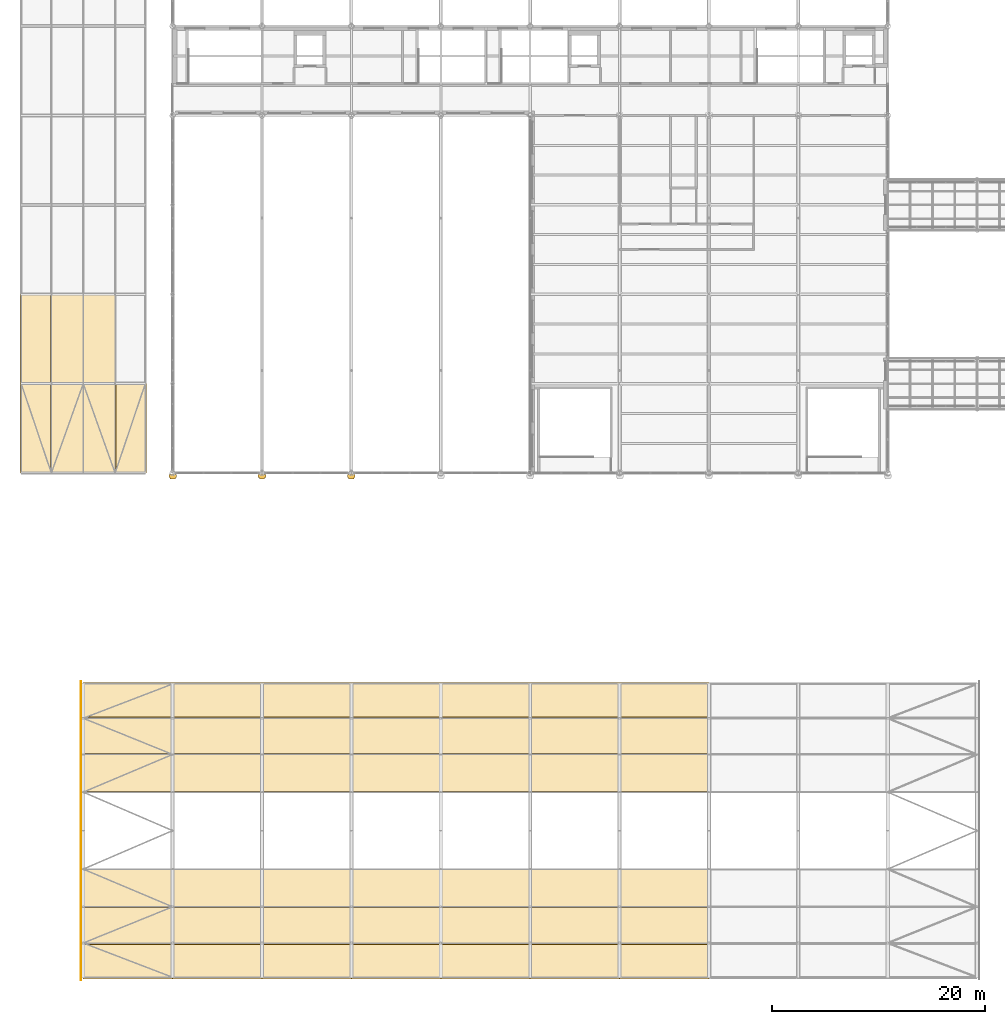
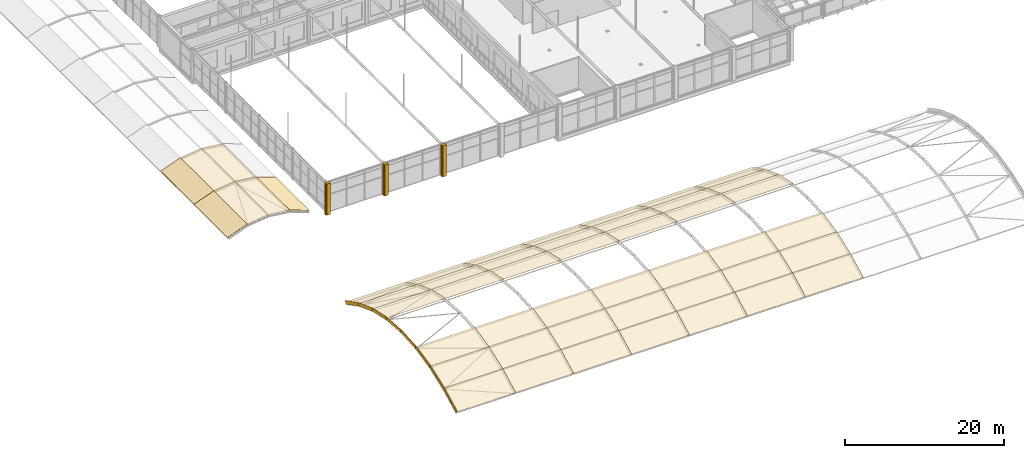
# One storey, part 158 of 167: 60 coverings.
"""IFC4 building model written with IfcOpenShell, lengths in metres."""

from ifc_helpers import new_model, si_unit, direction, frame, origin, place, context, subcontext, project, spatial, polyline, outline, extrude, material, layer, layer_set, type_object, element, save


model = new_model("IFC4")

# Units and contexts
model_context = context("Model", 3, precision=1e-05, world=origin(), true_north=direction((0.0, 1.0)))
body_context = subcontext(model_context, "Body", "Model", "MODEL_VIEW")
ifc_project = project(units=[si_unit("LENGTHUNIT", "METRE"), si_unit("AREAUNIT", "SQUARE_METRE"), si_unit("VOLUMEUNIT", "CUBIC_METRE"), si_unit("PLANEANGLEUNIT", "RADIAN"), si_unit("MASSUNIT", "GRAM", prefix="KILO")], contexts=[model_context])

# Site, building, storey
site_placement = place(None, origin())
site = spatial("IfcSite", under=ifc_project, at=site_placement, CompositionType="ELEMENT")
building_placement = place(site_placement, origin())
building = spatial("IfcBuilding", under=site, at=building_placement, Name="Catenary Quay Ferry Terminal", CompositionType="ELEMENT")
storey_placement = place(building_placement, frame((0.0, 0.0, 6.0)))
storey = spatial("IfcBuildingStorey", under=building, at=storey_placement, Name="L01", CompositionType="ELEMENT", Elevation=6.0)

# Coverings
ifc_material_1 = material(Name="Pale glazed ceramic tile")
ifc_layer_1 = layer(ifc_material_1, 0.0400390625)
ifc_layer_set_1 = layer_set([ifc_layer_1], Name="AR1")
covering_type_1 = type_object("IfcCoveringType", Name="AR1", PredefinedType="CLADDING", material=ifc_layer_set_1)
covering_1_placement = place(storey_placement, frame((16.622314453125, 19.818115234375, 1.012939453125), z_axis=(1.0, 0.0, 0.0), x_axis=(0.0, 0.887582334138, 0.460649107376)))
element("IfcCovering", 1, at=covering_1_placement, inside=storey, type_object=covering_type_1, Name="Archivolt band, canopy gable", PredefinedType="CLADDING", context=body_context, shape_type="SweptSolid", body=[
    extrude(outline(polyline([(0.0, 0.0), (3.6277994494466723, 0.0), (3.6587068727297924, 0.499976530046933), (-0.027402844453353503, 0.499982280537268), (0.0, 0.0)])), origin(), (0.0, 0.0, -1.0), 0.0400390625),
])
covering_2_placement = place(storey_placement, frame((16.622314453125, 23.0380859375, 2.68408203125), z_axis=(1.0, 0.0, 0.0), x_axis=(0.0, 0.93765537762, 0.347566386207)))
element("IfcCovering", 2, at=covering_2_placement, inside=storey, type_object=covering_type_1, Name="Archivolt band, canopy gable", PredefinedType="CLADDING", context=body_context, shape_type="SweptSolid", body=[
    extrude(outline(polyline([(0.0, 0.0), (3.628044535281018, 0.0), (3.6621217911511765, 0.5000438254197612), (-0.03104420856396159, 0.4999680555059603), (0.0, 0.0)])), origin(), (0.0, 0.0, -1.0), 0.0400390625),
])
covering_3_placement = place(storey_placement, frame((16.622314453125, 26.43994140625, 3.945068359375), z_axis=(1.0, 0.0, 0.0), x_axis=(0.0, 0.976201307112, 0.216866336698)))
element("IfcCovering", 3, at=covering_3_placement, inside=storey, type_object=covering_type_1, Name="Archivolt band, canopy gable", PredefinedType="CLADDING", context=body_context, shape_type="SweptSolid", body=[
    extrude(outline(polyline([(0.0, 0.0), (3.6283419840719344, 0.0), (3.6646672295174585, 0.5001181862119689), (-0.0342195172052471, 0.5000341101868039), (0.0, 0.0)])), origin(), (0.0, 0.0, -1.0), 0.0400390625),
])
covering_4_placement = place(storey_placement, frame((16.622314453125, 29.98193359375, 4.73193359375), z_axis=(1.0, 0.0, 0.0), x_axis=(0.0, 0.997266652704, 0.07388655767)))
element("IfcCovering", 4, at=covering_4_placement, inside=storey, type_object=covering_type_1, Name="Archivolt band, canopy gable", PredefinedType="CLADDING", context=body_context, shape_type="SweptSolid", body=[
    extrude(outline(polyline([(0.0, 0.0), (3.628080867528492, 0.0), (3.6651323786256946, 0.5000941661753573), (-0.03614385839187739, 0.5001313278901603), (0.0, 0.0)])), origin(), (0.0, 0.0, -1.0), 0.0400390625),
])
covering_5_placement = place(storey_placement, frame((16.622314453125, 33.60009765625, 5.0), z_axis=(1.0, 0.0, 0.0), x_axis=(0.0, 0.997266285305, -0.073891516382)))
element("IfcCovering", 5, at=covering_5_placement, inside=storey, type_object=covering_type_1, Name="Archivolt band, canopy gable", PredefinedType="CLADDING", context=body_context, shape_type="SweptSolid", body=[
    extrude(outline(polyline([(0.0, 0.0), (3.6278373942694557, 0.0), (3.663978765855887, 0.5001315076022292), (-0.03705399771696489, 0.5000939819377984), (0.0, 0.0)])), origin(), (0.0, 0.0, -1.0), 0.0400390625),
])
covering_6_placement = place(storey_placement, frame((16.622314453125, 37.218017578125, 4.73193359375), z_axis=(1.0, 0.0, 0.0), x_axis=(0.0, 0.976201307112, -0.216866336698)))
element("IfcCovering", 6, at=covering_6_placement, inside=storey, type_object=covering_type_1, Name="Archivolt band, canopy gable", PredefinedType="CLADDING", context=body_context, shape_type="SweptSolid", body=[
    extrude(outline(polyline([(0.0, 0.0), (3.6283419840719344, 0.0), (3.6625615012771813, 0.5000341101868038), (-0.03632524544552436, 0.500118186211969), (0.0, 0.0)])), origin(), (0.0, 0.0, -1.0), 0.0400390625),
])
covering_7_placement = place(storey_placement, frame((16.622314453125, 40.760009765625, 3.945068359375), z_axis=(1.0, 0.0, 0.0), x_axis=(0.0, 0.93766350596, -0.347544456999)))
element("IfcCovering", 7, at=covering_7_placement, inside=storey, type_object=covering_type_1, Name="Archivolt band, canopy gable", PredefinedType="CLADDING", context=body_context, shape_type="SweptSolid", body=[
    extrude(outline(polyline([(0.0, 0.0), (3.628273456043204, 0.0), (3.65910043568587, 0.4998824796118708), (-0.03406556124721624, 0.5000446222538355), (0.0, 0.0)])), origin(), (0.0, 0.0, -1.0), 0.0400390625),
])
covering_8_placement = place(storey_placement, frame((16.622314453125, 44.162109375, 2.68408203125), z_axis=(1.0, 0.0, 0.0), x_axis=(0.0, 0.887582334138, -0.460649107376)))
element("IfcCovering", 8, at=covering_8_placement, inside=storey, type_object=covering_type_1, Name="Archivolt band, canopy gable", PredefinedType="CLADDING", context=body_context, shape_type="SweptSolid", body=[
    extrude(outline(polyline([(0.0, 0.0), (3.6277994494466723, 0.0), (3.6552022939000257, 0.499982280537268), (-0.03112411818891561, 0.4998640668859527), (0.0, 0.0)])), origin(), (0.0, 0.0, -1.0), 0.0400390625),
])
ifc_material_2 = material(Name="Ceramic tile")
ifc_layer_2 = layer(ifc_material_2, 0.0400390625)
ifc_layer_set_2 = layer_set([ifc_layer_2], Name="CL2")
covering_type_2 = type_object("IfcCoveringType", Name="CL2", PredefinedType="CLADDING", material=ifc_layer_set_2)
covering_9_placement = place(storey_placement, origin())
element("IfcCovering", 9, at=covering_9_placement, inside=storey, type_object=covering_type_2, Name="Ceramic pier casing", PredefinedType="CLADDING", context=body_context, shape_type="SweptSolid", body=[
    extrude(outline(polyline([(24.845947265625, 67.0458984375), (24.845947265625, 66.76611328125), (24.946044921875, 66.76611328125), (24.946044921875, 66.64599609375), (25.4541015625, 66.64599609375), (25.4541015625, 66.76611328125), (25.553955078125, 66.76611328125), (25.553955078125, 67.0458984375), (24.845947265625, 67.0458984375)])), origin(), (0.0, 0.0, 1.0), 4.800048828125),
])
covering_10_placement = place(storey_placement, origin())
element("IfcCovering", 10, at=covering_10_placement, inside=storey, type_object=covering_type_2, Name="Ceramic pier casing", PredefinedType="CLADDING", context=body_context, shape_type="SweptSolid", body=[
    extrude(outline(polyline([(33.24609375, 67.0458984375), (33.24609375, 66.76611328125), (33.345947265625, 66.76611328125), (33.345947265625, 66.64599609375), (33.85400390625, 66.64599609375), (33.85400390625, 66.76611328125), (33.9541015625, 66.76611328125), (33.9541015625, 67.0458984375), (33.24609375, 67.0458984375)])), origin(), (0.0, 0.0, 1.0), 4.800048828125),
])
covering_11_placement = place(storey_placement, origin())
element("IfcCovering", 11, at=covering_11_placement, inside=storey, type_object=covering_type_2, Name="Ceramic pier casing", PredefinedType="CLADDING", context=body_context, shape_type="SweptSolid", body=[
    extrude(outline(polyline([(41.64599609375, 67.0458984375), (41.64599609375, 66.76611328125), (41.74609375, 66.76611328125), (41.74609375, 66.64599609375), (42.25390625, 66.64599609375), (42.25390625, 66.76611328125), (42.35400390625, 66.76611328125), (42.35400390625, 67.0458984375), (41.64599609375, 67.0458984375)])), origin(), (0.0, 0.0, 1.0), 4.800048828125),
])
ifc_material_3 = material(Name="Laminated glass", Category="glass")
ifc_layer_3 = layer(ifc_material_3, 0.030029296875)
ifc_layer_set_3 = layer_set([ifc_layer_3], Name="RF2")
covering_type_3 = type_object("IfcCoveringType", Name="RF2", PredefinedType="ROOFING", material=ifc_layer_set_3)
covering_12_placement = place(storey_placement, frame((16.800048828125, 19.666259765625, 1.269775390625), z_axis=(0.0, -0.460601208627, 0.887607191618), x_axis=(1.0, 0.0, 0.0)))
element("IfcCovering", 12, at=covering_12_placement, inside=storey, type_object=covering_type_3, Name="Vehicle Deck canopy roof", PredefinedType="ROOFING", context=body_context, shape_type="SweptSolid", body=[
    extrude(outline(polyline([(0.0, 0.0), (8.39990234375, 0.0), (8.39990234375, 3.662629813279544), (0.0, 3.662629813279544), (0.0, 0.0)])), origin(), (0.0, 0.0, -1.0), 0.03369140625),
])
covering_13_placement = place(storey_placement, frame((16.800048828125, 22.917236328125, 2.956787109375), z_axis=(0.0, -0.347531183099, 0.937668425817), x_axis=(1.0, 0.0, 0.0)))
element("IfcCovering", 13, at=covering_13_placement, inside=storey, type_object=covering_type_3, Name="Vehicle Deck canopy roof", PredefinedType="ROOFING", context=body_context, shape_type="SweptSolid", body=[
    extrude(outline(polyline([(0.0, 0.0), (8.39990234375, 0.0), (8.39990234375, 3.667049532466063), (0.0, 3.667049532466063), (0.0, 0.0)])), origin(), (0.0, 0.0, -1.0), 0.031982421875),
])
covering_14_placement = place(storey_placement, frame((16.800048828125, 26.355712890625, 4.231201171875), z_axis=(0.0, -0.216923414464, 0.976188625347), x_axis=(1.0, 0.0, 0.0)))
element("IfcCovering", 14, at=covering_14_placement, inside=storey, type_object=covering_type_3, Name="Vehicle Deck canopy roof", PredefinedType="ROOFING", context=body_context, shape_type="SweptSolid", body=[
    extrude(outline(polyline([(0.0, 0.0), (8.39990234375, 0.0), (8.39990234375, 3.670155110238633), (0.0, 3.670155110238633), (0.0, 0.0)])), origin(), (0.0, 0.0, -1.0), 0.03076171875),
])
covering_15_placement = place(storey_placement, frame((16.800048828125, 37.261474609375, 5.02734375), z_axis=(0.0, 0.216909329092, 0.976191755216), x_axis=(1.0, 0.0, 0.0)))
element("IfcCovering", 15, at=covering_15_placement, inside=storey, type_object=covering_type_3, Name="Vehicle Deck canopy roof", PredefinedType="ROOFING", context=body_context, shape_type="SweptSolid", body=[
    extrude(outline(polyline([(0.0, 0.0), (8.39990234375, 0.0), (8.39990234375, 3.67039343792182), (0.0, 3.67039343792182), (0.0, 0.0)])), origin(), (0.0, 0.0, -1.0), 0.03076171875),
])
covering_16_placement = place(storey_placement, frame((16.800048828125, 40.844482421875, 4.231201171875), z_axis=(0.0, 0.347552879695, 0.93766038405), x_axis=(1.0, 0.0, 0.0)))
element("IfcCovering", 16, at=covering_16_placement, inside=storey, type_object=covering_type_3, Name="Vehicle Deck canopy roof", PredefinedType="ROOFING", context=body_context, shape_type="SweptSolid", body=[
    extrude(outline(polyline([(0.0, 0.0), (8.39990234375, 0.0), (8.39990234375, 3.666820610492172), (0.0, 3.666820610492172), (0.0, 0.0)])), origin(), (0.0, 0.0, -1.0), 0.031982421875),
])
covering_17_placement = place(storey_placement, frame((16.800048828125, 44.28271484375, 2.956787109375), z_axis=(0.0, 0.460601208627, 0.887607191618), x_axis=(1.0, 0.0, 0.0)))
element("IfcCovering", 17, at=covering_17_placement, inside=storey, type_object=covering_type_3, Name="Vehicle Deck canopy roof", PredefinedType="ROOFING", context=body_context, shape_type="SweptSolid", body=[
    extrude(outline(polyline([(0.0, 0.0), (8.39990234375, 0.0), (8.39990234375, 3.662629813279544), (0.0, 3.662629813279544), (0.0, 0.0)])), origin(), (0.0, 0.0, -1.0), 0.03369140625),
])
covering_18_placement = place(storey_placement, frame((25.199951171875, 19.666259765625, 1.269775390625), z_axis=(0.0, -0.460601208627, 0.887607191618), x_axis=(1.0, 0.0, 0.0)))
element("IfcCovering", 18, at=covering_18_placement, inside=storey, type_object=covering_type_3, Name="Vehicle Deck canopy roof", PredefinedType="ROOFING", context=body_context, shape_type="SweptSolid", body=[
    extrude(outline(polyline([(0.0, 0.0), (8.400146484375, 0.0), (8.400146484375, 3.662629813279544), (0.0, 3.662629813279544), (0.0, 0.0)])), origin(), (0.0, 0.0, -1.0), 0.03369140625),
])
covering_19_placement = place(storey_placement, frame((25.199951171875, 22.917236328125, 2.956787109375), z_axis=(0.0, -0.347531183099, 0.937668425817), x_axis=(1.0, 0.0, 0.0)))
element("IfcCovering", 19, at=covering_19_placement, inside=storey, type_object=covering_type_3, Name="Vehicle Deck canopy roof", PredefinedType="ROOFING", context=body_context, shape_type="SweptSolid", body=[
    extrude(outline(polyline([(0.0, 0.0), (8.400146484375, 0.0), (8.400146484375, 3.6670495324660632), (0.0, 3.6670495324660632), (0.0, 0.0)])), origin(), (0.0, 0.0, -1.0), 0.031982421875),
])
covering_20_placement = place(storey_placement, frame((25.199951171875, 26.355712890625, 4.231201171875), z_axis=(0.0, -0.216923414464, 0.976188625347), x_axis=(1.0, 0.0, 0.0)))
element("IfcCovering", 20, at=covering_20_placement, inside=storey, type_object=covering_type_3, Name="Vehicle Deck canopy roof", PredefinedType="ROOFING", context=body_context, shape_type="SweptSolid", body=[
    extrude(outline(polyline([(0.0, 0.0), (8.400146484375, 0.0), (8.400146484375, 3.6701551102386327), (0.0, 3.6701551102386327), (0.0, 0.0)])), origin(), (0.0, 0.0, -1.0), 0.03076171875),
])
covering_21_placement = place(storey_placement, frame((25.199951171875, 37.261474609375, 5.02734375), z_axis=(0.0, 0.216909329092, 0.976191755216), x_axis=(1.0, 0.0, 0.0)))
element("IfcCovering", 21, at=covering_21_placement, inside=storey, type_object=covering_type_3, Name="Vehicle Deck canopy roof", PredefinedType="ROOFING", context=body_context, shape_type="SweptSolid", body=[
    extrude(outline(polyline([(0.0, 0.0), (8.400146484375, 0.0), (8.400146484375, 3.67039343792182), (0.0, 3.67039343792182), (0.0, 0.0)])), origin(), (0.0, 0.0, -1.0), 0.03076171875),
])
covering_22_placement = place(storey_placement, frame((25.199951171875, 40.844482421875, 4.231201171875), z_axis=(0.0, 0.347552879695, 0.93766038405), x_axis=(1.0, 0.0, 0.0)))
element("IfcCovering", 22, at=covering_22_placement, inside=storey, type_object=covering_type_3, Name="Vehicle Deck canopy roof", PredefinedType="ROOFING", context=body_context, shape_type="SweptSolid", body=[
    extrude(outline(polyline([(0.0, 0.0), (8.400146484375, 0.0), (8.400146484375, 3.666820610492172), (0.0, 3.666820610492172), (0.0, 0.0)])), origin(), (0.0, 0.0, -1.0), 0.031982421875),
])
covering_23_placement = place(storey_placement, frame((25.199951171875, 44.28271484375, 2.956787109375), z_axis=(0.0, 0.460601208627, 0.887607191618), x_axis=(1.0, 0.0, 0.0)))
element("IfcCovering", 23, at=covering_23_placement, inside=storey, type_object=covering_type_3, Name="Vehicle Deck canopy roof", PredefinedType="ROOFING", context=body_context, shape_type="SweptSolid", body=[
    extrude(outline(polyline([(0.0, 0.0), (8.400146484375, 0.0), (8.400146484375, 3.662629813279544), (0.0, 3.662629813279544), (0.0, 0.0)])), origin(), (0.0, 0.0, -1.0), 0.03369140625),
])
covering_24_placement = place(storey_placement, frame((33.60009765625, 19.666259765625, 1.269775390625), z_axis=(0.0, -0.460601208627, 0.887607191618), x_axis=(1.0, 0.0, 0.0)))
element("IfcCovering", 24, at=covering_24_placement, inside=storey, type_object=covering_type_3, Name="Vehicle Deck canopy roof", PredefinedType="ROOFING", context=body_context, shape_type="SweptSolid", body=[
    extrude(outline(polyline([(0.0, 0.0), (8.39990234375, 0.0), (8.39990234375, 3.662629813279544), (0.0, 3.662629813279544), (0.0, 0.0)])), origin(), (0.0, 0.0, -1.0), 0.03369140625),
])
covering_25_placement = place(storey_placement, frame((33.60009765625, 22.917236328125, 2.956787109375), z_axis=(0.0, -0.347531183099, 0.937668425817), x_axis=(1.0, 0.0, 0.0)))
element("IfcCovering", 25, at=covering_25_placement, inside=storey, type_object=covering_type_3, Name="Vehicle Deck canopy roof", PredefinedType="ROOFING", context=body_context, shape_type="SweptSolid", body=[
    extrude(outline(polyline([(0.0, 0.0), (8.39990234375, 0.0), (8.39990234375, 3.667049532466063), (0.0, 3.667049532466063), (0.0, 0.0)])), origin(), (0.0, 0.0, -1.0), 0.031982421875),
])
covering_26_placement = place(storey_placement, frame((33.60009765625, 26.355712890625, 4.231201171875), z_axis=(0.0, -0.216923414464, 0.976188625347), x_axis=(1.0, 0.0, 0.0)))
element("IfcCovering", 26, at=covering_26_placement, inside=storey, type_object=covering_type_3, Name="Vehicle Deck canopy roof", PredefinedType="ROOFING", context=body_context, shape_type="SweptSolid", body=[
    extrude(outline(polyline([(0.0, 0.0), (8.39990234375, 0.0), (8.39990234375, 3.670155110238633), (0.0, 3.670155110238633), (0.0, 0.0)])), origin(), (0.0, 0.0, -1.0), 0.03076171875),
])
covering_27_placement = place(storey_placement, frame((33.60009765625, 37.261474609375, 5.02734375), z_axis=(0.0, 0.216909329092, 0.976191755216), x_axis=(1.0, 0.0, 0.0)))
element("IfcCovering", 27, at=covering_27_placement, inside=storey, type_object=covering_type_3, Name="Vehicle Deck canopy roof", PredefinedType="ROOFING", context=body_context, shape_type="SweptSolid", body=[
    extrude(outline(polyline([(0.0, 0.0), (8.39990234375, 0.0), (8.39990234375, 3.67039343792182), (0.0, 3.67039343792182), (0.0, 0.0)])), origin(), (0.0, 0.0, -1.0), 0.03076171875),
])
covering_28_placement = place(storey_placement, frame((33.60009765625, 40.844482421875, 4.231201171875), z_axis=(0.0, 0.347552879695, 0.93766038405), x_axis=(1.0, 0.0, 0.0)))
element("IfcCovering", 28, at=covering_28_placement, inside=storey, type_object=covering_type_3, Name="Vehicle Deck canopy roof", PredefinedType="ROOFING", context=body_context, shape_type="SweptSolid", body=[
    extrude(outline(polyline([(0.0, 0.0), (8.39990234375, 0.0), (8.39990234375, 3.666820610492172), (0.0, 3.666820610492172), (0.0, 0.0)])), origin(), (0.0, 0.0, -1.0), 0.031982421875),
])
for number, where, z_axis, x_axis, name in (
    (29, (33.60009765625, 44.28271484375, 2.956787109375), (0.0, 0.460601208627, 0.887607191618), (1.0, 0.0, 0.0), "Vehicle Deck canopy roof"),
    (30, (42.0, 19.666259765625, 1.269775390625), (0.0, -0.460601208627, 0.887607191618), (1.0, 0.0, 0.0), "Vehicle Deck canopy roof"),
):
    element("IfcCovering", number, at=place(storey_placement, frame(where, z_axis=z_axis, x_axis=x_axis)), inside=storey, type_object=covering_type_3, Name=name, PredefinedType="ROOFING", context=body_context, shape_type="SweptSolid", body=[
        extrude(outline(polyline([(0.0, 0.0), (8.39990234375, 0.0), (8.39990234375, 3.662629813279544), (0.0, 3.662629813279544), (0.0, 0.0)])), origin(), (0.0, 0.0, -1.0), 0.03369140625),
    ])
covering_29_placement = place(storey_placement, frame((42.0, 22.917236328125, 2.956787109375), z_axis=(0.0, -0.347531183099, 0.937668425817), x_axis=(1.0, 0.0, 0.0)))
element("IfcCovering", 31, at=covering_29_placement, inside=storey, type_object=covering_type_3, Name="Vehicle Deck canopy roof", PredefinedType="ROOFING", context=body_context, shape_type="SweptSolid", body=[
    extrude(outline(polyline([(0.0, 0.0), (8.39990234375, 0.0), (8.39990234375, 3.667049532466063), (0.0, 3.667049532466063), (0.0, 0.0)])), origin(), (0.0, 0.0, -1.0), 0.031982421875),
])
covering_30_placement = place(storey_placement, frame((42.0, 26.355712890625, 4.231201171875), z_axis=(0.0, -0.216923414464, 0.976188625347), x_axis=(1.0, 0.0, 0.0)))
element("IfcCovering", 32, at=covering_30_placement, inside=storey, type_object=covering_type_3, Name="Vehicle Deck canopy roof", PredefinedType="ROOFING", context=body_context, shape_type="SweptSolid", body=[
    extrude(outline(polyline([(0.0, 0.0), (8.39990234375, 0.0), (8.39990234375, 3.670155110238633), (0.0, 3.670155110238633), (0.0, 0.0)])), origin(), (0.0, 0.0, -1.0), 0.03076171875),
])
covering_31_placement = place(storey_placement, frame((42.0, 37.261474609375, 5.02734375), z_axis=(0.0, 0.216909329092, 0.976191755216), x_axis=(1.0, 0.0, 0.0)))
element("IfcCovering", 33, at=covering_31_placement, inside=storey, type_object=covering_type_3, Name="Vehicle Deck canopy roof", PredefinedType="ROOFING", context=body_context, shape_type="SweptSolid", body=[
    extrude(outline(polyline([(0.0, 0.0), (8.39990234375, 0.0), (8.39990234375, 3.67039343792182), (0.0, 3.67039343792182), (0.0, 0.0)])), origin(), (0.0, 0.0, -1.0), 0.03076171875),
])
covering_32_placement = place(storey_placement, frame((42.0, 40.844482421875, 4.231201171875), z_axis=(0.0, 0.347552879695, 0.93766038405), x_axis=(1.0, 0.0, 0.0)))
element("IfcCovering", 34, at=covering_32_placement, inside=storey, type_object=covering_type_3, Name="Vehicle Deck canopy roof", PredefinedType="ROOFING", context=body_context, shape_type="SweptSolid", body=[
    extrude(outline(polyline([(0.0, 0.0), (8.39990234375, 0.0), (8.39990234375, 3.666820610492172), (0.0, 3.666820610492172), (0.0, 0.0)])), origin(), (0.0, 0.0, -1.0), 0.031982421875),
])
covering_33_placement = place(storey_placement, frame((42.0, 44.28271484375, 2.956787109375), z_axis=(0.0, 0.460601208627, 0.887607191618), x_axis=(1.0, 0.0, 0.0)))
element("IfcCovering", 35, at=covering_33_placement, inside=storey, type_object=covering_type_3, Name="Vehicle Deck canopy roof", PredefinedType="ROOFING", context=body_context, shape_type="SweptSolid", body=[
    extrude(outline(polyline([(0.0, 0.0), (8.39990234375, 0.0), (8.39990234375, 3.662629813279544), (0.0, 3.662629813279544), (0.0, 0.0)])), origin(), (0.0, 0.0, -1.0), 0.03369140625),
])
covering_34_placement = place(storey_placement, frame((50.39990234375, 19.666259765625, 1.269775390625), z_axis=(0.0, -0.460601208627, 0.887607191618), x_axis=(1.0, 0.0, 0.0)))
element("IfcCovering", 36, at=covering_34_placement, inside=storey, type_object=covering_type_3, Name="Vehicle Deck canopy roof", PredefinedType="ROOFING", context=body_context, shape_type="SweptSolid", body=[
    extrude(outline(polyline([(0.0, 0.0), (8.400146484375, 0.0), (8.400146484375, 3.662629813279544), (0.0, 3.662629813279544), (0.0, 0.0)])), origin(), (0.0, 0.0, -1.0), 0.03369140625),
])
covering_35_placement = place(storey_placement, frame((50.39990234375, 22.917236328125, 2.956787109375), z_axis=(0.0, -0.347531183099, 0.937668425817), x_axis=(1.0, 0.0, 0.0)))
element("IfcCovering", 37, at=covering_35_placement, inside=storey, type_object=covering_type_3, Name="Vehicle Deck canopy roof", PredefinedType="ROOFING", context=body_context, shape_type="SweptSolid", body=[
    extrude(outline(polyline([(0.0, 0.0), (8.400146484375, 0.0), (8.400146484375, 3.6670495324660632), (0.0, 3.6670495324660632), (0.0, 0.0)])), origin(), (0.0, 0.0, -1.0), 0.031982421875),
])
covering_36_placement = place(storey_placement, frame((50.39990234375, 26.355712890625, 4.231201171875), z_axis=(0.0, -0.216923414464, 0.976188625347), x_axis=(1.0, 0.0, 0.0)))
element("IfcCovering", 38, at=covering_36_placement, inside=storey, type_object=covering_type_3, Name="Vehicle Deck canopy roof", PredefinedType="ROOFING", context=body_context, shape_type="SweptSolid", body=[
    extrude(outline(polyline([(0.0, 0.0), (8.400146484375, 0.0), (8.400146484375, 3.6701551102386327), (0.0, 3.6701551102386327), (0.0, 0.0)])), origin(), (0.0, 0.0, -1.0), 0.03076171875),
])
covering_37_placement = place(storey_placement, frame((50.39990234375, 37.261474609375, 5.02734375), z_axis=(0.0, 0.216909329092, 0.976191755216), x_axis=(1.0, 0.0, 0.0)))
element("IfcCovering", 39, at=covering_37_placement, inside=storey, type_object=covering_type_3, Name="Vehicle Deck canopy roof", PredefinedType="ROOFING", context=body_context, shape_type="SweptSolid", body=[
    extrude(outline(polyline([(0.0, 0.0), (8.400146484375, 0.0), (8.400146484375, 3.67039343792182), (0.0, 3.67039343792182), (0.0, 0.0)])), origin(), (0.0, 0.0, -1.0), 0.03076171875),
])
covering_38_placement = place(storey_placement, frame((50.39990234375, 40.844482421875, 4.231201171875), z_axis=(0.0, 0.347552879695, 0.93766038405), x_axis=(1.0, 0.0, 0.0)))
element("IfcCovering", 40, at=covering_38_placement, inside=storey, type_object=covering_type_3, Name="Vehicle Deck canopy roof", PredefinedType="ROOFING", context=body_context, shape_type="SweptSolid", body=[
    extrude(outline(polyline([(0.0, 0.0), (8.400146484375, 0.0), (8.400146484375, 3.666820610492172), (0.0, 3.666820610492172), (0.0, 0.0)])), origin(), (0.0, 0.0, -1.0), 0.031982421875),
])
covering_39_placement = place(storey_placement, frame((50.39990234375, 44.28271484375, 2.956787109375), z_axis=(0.0, 0.460601208627, 0.887607191618), x_axis=(1.0, 0.0, 0.0)))
element("IfcCovering", 41, at=covering_39_placement, inside=storey, type_object=covering_type_3, Name="Vehicle Deck canopy roof", PredefinedType="ROOFING", context=body_context, shape_type="SweptSolid", body=[
    extrude(outline(polyline([(0.0, 0.0), (8.400146484375, 0.0), (8.400146484375, 3.662629813279544), (0.0, 3.662629813279544), (0.0, 0.0)])), origin(), (0.0, 0.0, -1.0), 0.03369140625),
])
covering_40_placement = place(storey_placement, frame((58.800048828125, 19.666259765625, 1.269775390625), z_axis=(0.0, -0.460601208627, 0.887607191618), x_axis=(1.0, 0.0, 0.0)))
element("IfcCovering", 42, at=covering_40_placement, inside=storey, type_object=covering_type_3, Name="Vehicle Deck canopy roof", PredefinedType="ROOFING", context=body_context, shape_type="SweptSolid", body=[
    extrude(outline(polyline([(0.0, 0.0), (8.39990234375, 0.0), (8.39990234375, 3.662629813279544), (0.0, 3.662629813279544), (0.0, 0.0)])), origin(), (0.0, 0.0, -1.0), 0.03369140625),
])
covering_41_placement = place(storey_placement, frame((58.800048828125, 22.917236328125, 2.956787109375), z_axis=(0.0, -0.347531183099, 0.937668425817), x_axis=(1.0, 0.0, 0.0)))
element("IfcCovering", 43, at=covering_41_placement, inside=storey, type_object=covering_type_3, Name="Vehicle Deck canopy roof", PredefinedType="ROOFING", context=body_context, shape_type="SweptSolid", body=[
    extrude(outline(polyline([(0.0, 0.0), (8.39990234375, 0.0), (8.39990234375, 3.667049532466063), (0.0, 3.667049532466063), (0.0, 0.0)])), origin(), (0.0, 0.0, -1.0), 0.031982421875),
])
covering_42_placement = place(storey_placement, frame((58.800048828125, 26.355712890625, 4.231201171875), z_axis=(0.0, -0.216923414464, 0.976188625347), x_axis=(1.0, 0.0, 0.0)))
element("IfcCovering", 44, at=covering_42_placement, inside=storey, type_object=covering_type_3, Name="Vehicle Deck canopy roof", PredefinedType="ROOFING", context=body_context, shape_type="SweptSolid", body=[
    extrude(outline(polyline([(0.0, 0.0), (8.39990234375, 0.0), (8.39990234375, 3.670155110238633), (0.0, 3.670155110238633), (0.0, 0.0)])), origin(), (0.0, 0.0, -1.0), 0.03076171875),
])
covering_43_placement = place(storey_placement, frame((58.800048828125, 37.261474609375, 5.02734375), z_axis=(0.0, 0.216909329092, 0.976191755216), x_axis=(1.0, 0.0, 0.0)))
element("IfcCovering", 45, at=covering_43_placement, inside=storey, type_object=covering_type_3, Name="Vehicle Deck canopy roof", PredefinedType="ROOFING", context=body_context, shape_type="SweptSolid", body=[
    extrude(outline(polyline([(0.0, 0.0), (8.39990234375, 0.0), (8.39990234375, 3.67039343792182), (0.0, 3.67039343792182), (0.0, 0.0)])), origin(), (0.0, 0.0, -1.0), 0.03076171875),
])
covering_44_placement = place(storey_placement, frame((58.800048828125, 40.844482421875, 4.231201171875), z_axis=(0.0, 0.347552879695, 0.93766038405), x_axis=(1.0, 0.0, 0.0)))
element("IfcCovering", 46, at=covering_44_placement, inside=storey, type_object=covering_type_3, Name="Vehicle Deck canopy roof", PredefinedType="ROOFING", context=body_context, shape_type="SweptSolid", body=[
    extrude(outline(polyline([(0.0, 0.0), (8.39990234375, 0.0), (8.39990234375, 3.666820610492172), (0.0, 3.666820610492172), (0.0, 0.0)])), origin(), (0.0, 0.0, -1.0), 0.031982421875),
])
covering_45_placement = place(storey_placement, frame((58.800048828125, 44.28271484375, 2.956787109375), z_axis=(0.0, 0.460601208627, 0.887607191618), x_axis=(1.0, 0.0, 0.0)))
element("IfcCovering", 47, at=covering_45_placement, inside=storey, type_object=covering_type_3, Name="Vehicle Deck canopy roof", PredefinedType="ROOFING", context=body_context, shape_type="SweptSolid", body=[
    extrude(outline(polyline([(0.0, 0.0), (8.39990234375, 0.0), (8.39990234375, 3.662629813279544), (0.0, 3.662629813279544), (0.0, 0.0)])), origin(), (0.0, 0.0, -1.0), 0.03369140625),
])
covering_46_placement = place(storey_placement, frame((67.199951171875, 19.666259765625, 1.269775390625), z_axis=(0.0, -0.460601208627, 0.887607191618), x_axis=(1.0, 0.0, 0.0)))
element("IfcCovering", 48, at=covering_46_placement, inside=storey, type_object=covering_type_3, Name="Vehicle Deck canopy roof", PredefinedType="ROOFING", context=body_context, shape_type="SweptSolid", body=[
    extrude(outline(polyline([(0.0, 0.0), (8.400146484375, 0.0), (8.400146484375, 3.662629813279544), (0.0, 3.662629813279544), (0.0, 0.0)])), origin(), (0.0, 0.0, -1.0), 0.03369140625),
])
covering_47_placement = place(storey_placement, frame((67.199951171875, 22.917236328125, 2.956787109375), z_axis=(0.0, -0.347531183099, 0.937668425817), x_axis=(1.0, 0.0, 0.0)))
element("IfcCovering", 49, at=covering_47_placement, inside=storey, type_object=covering_type_3, Name="Vehicle Deck canopy roof", PredefinedType="ROOFING", context=body_context, shape_type="SweptSolid", body=[
    extrude(outline(polyline([(0.0, 0.0), (8.400146484375, 0.0), (8.400146484375, 3.6670495324660632), (0.0, 3.6670495324660632), (0.0, 0.0)])), origin(), (0.0, 0.0, -1.0), 0.031982421875),
])
covering_48_placement = place(storey_placement, frame((67.199951171875, 26.355712890625, 4.231201171875), z_axis=(0.0, -0.216923414464, 0.976188625347), x_axis=(1.0, 0.0, 0.0)))
element("IfcCovering", 50, at=covering_48_placement, inside=storey, type_object=covering_type_3, Name="Vehicle Deck canopy roof", PredefinedType="ROOFING", context=body_context, shape_type="SweptSolid", body=[
    extrude(outline(polyline([(0.0, 0.0), (8.400146484375, 0.0), (8.400146484375, 3.6701551102386327), (0.0, 3.6701551102386327), (0.0, 0.0)])), origin(), (0.0, 0.0, -1.0), 0.03076171875),
])
covering_49_placement = place(storey_placement, frame((67.199951171875, 37.261474609375, 5.02734375), z_axis=(0.0, 0.216909329092, 0.976191755216), x_axis=(1.0, 0.0, 0.0)))
element("IfcCovering", 51, at=covering_49_placement, inside=storey, type_object=covering_type_3, Name="Vehicle Deck canopy roof", PredefinedType="ROOFING", context=body_context, shape_type="SweptSolid", body=[
    extrude(outline(polyline([(0.0, 0.0), (8.400146484375, 0.0), (8.400146484375, 3.67039343792182), (0.0, 3.67039343792182), (0.0, 0.0)])), origin(), (0.0, 0.0, -1.0), 0.03076171875),
])
covering_50_placement = place(storey_placement, frame((67.199951171875, 40.844482421875, 4.231201171875), z_axis=(0.0, 0.347552879695, 0.93766038405), x_axis=(1.0, 0.0, 0.0)))
element("IfcCovering", 52, at=covering_50_placement, inside=storey, type_object=covering_type_3, Name="Vehicle Deck canopy roof", PredefinedType="ROOFING", context=body_context, shape_type="SweptSolid", body=[
    extrude(outline(polyline([(0.0, 0.0), (8.400146484375, 0.0), (8.400146484375, 3.666820610492172), (0.0, 3.666820610492172), (0.0, 0.0)])), origin(), (0.0, 0.0, -1.0), 0.031982421875),
])
covering_51_placement = place(storey_placement, frame((67.199951171875, 44.28271484375, 2.956787109375), z_axis=(0.0, 0.460601208627, 0.887607191618), x_axis=(1.0, 0.0, 0.0)))
element("IfcCovering", 53, at=covering_51_placement, inside=storey, type_object=covering_type_3, Name="Vehicle Deck canopy roof", PredefinedType="ROOFING", context=body_context, shape_type="SweptSolid", body=[
    extrude(outline(polyline([(0.0, 0.0), (8.400146484375, 0.0), (8.400146484375, 3.662629813279544), (0.0, 3.662629813279544), (0.0, 0.0)])), origin(), (0.0, 0.0, -1.0), 0.03369140625),
])
covering_52_placement = place(storey_placement, frame((10.858154296875, 67.199951171875, 1.2158203125), z_axis=(-0.346768604163, 0.0, 0.937950710414), x_axis=(0.0, 1.0, 0.0)))
element("IfcCovering", 54, at=covering_52_placement, inside=storey, type_object=covering_type_3, Name="Forecourt canopy roof", PredefinedType="ROOFING", context=body_context, shape_type="SweptSolid", body=[
    extrude(outline(polyline([(0.0, 0.0), (8.400146484375, 0.0), (8.400146484375, -3.0745635463365493), (0.0, -3.0745635463365493), (0.0, 0.0)])), origin(), (0.0, 0.0, -1.0), 0.031982421875),
])
covering_53_placement = place(storey_placement, frame((13.741943359375, 67.199951171875, 2.281982421875), z_axis=(-0.122181619395, 0.0, 0.992507759104), x_axis=(0.0, 1.0, 0.0)))
element("IfcCovering", 55, at=covering_53_placement, inside=storey, type_object=covering_type_3, Name="Forecourt canopy roof", PredefinedType="ROOFING", context=body_context, shape_type="SweptSolid", body=[
    extrude(outline(polyline([(0.0, 0.0), (8.400146484375, 0.0), (8.400146484375, -3.0811904901479834), (0.0, -3.0811904901479834), (0.0, 0.0)])), origin(), (0.0, 0.0, -1.0), 0.0302734375),
])
covering_54_placement = place(storey_placement, frame((16.800048828125, 67.199951171875, 2.658447265625), z_axis=(0.122191228771, 0.0, 0.992506576105), x_axis=(0.0, 1.0, 0.0)))
element("IfcCovering", 56, at=covering_54_placement, inside=storey, type_object=covering_type_3, Name="Forecourt canopy roof", PredefinedType="ROOFING", context=body_context, shape_type="SweptSolid", body=[
    extrude(outline(polyline([(0.0, 0.0), (8.400146484375, 0.0), (8.400146484375, -3.0809481788277613), (0.0, -3.0809481788277613), (0.0, 0.0)])), origin(), (0.0, 0.0, -1.0), 0.0302734375),
])
covering_55_placement = place(storey_placement, frame((19.85791015625, 67.199951171875, 2.281982421875), z_axis=(0.346768604163, 0.0, 0.937950710414), x_axis=(0.0, 1.0, 0.0)))
element("IfcCovering", 57, at=covering_55_placement, inside=storey, type_object=covering_type_3, Name="Forecourt canopy roof", PredefinedType="ROOFING", context=body_context, shape_type="SweptSolid", body=[
    extrude(outline(polyline([(0.0, 0.0), (8.400146484375, 0.0), (8.400146484375, -3.0745635463365493), (0.0, -3.0745635463365493), (0.0, 0.0)])), origin(), (0.0, 0.0, -1.0), 0.031982421875),
])
covering_56_placement = place(storey_placement, frame((10.858154296875, 75.60009765625, 1.2158203125), z_axis=(-0.346768604163, 0.0, 0.937950710414), x_axis=(0.0, 1.0, 0.0)))
element("IfcCovering", 58, at=covering_56_placement, inside=storey, type_object=covering_type_3, Name="Forecourt canopy roof", PredefinedType="ROOFING", context=body_context, shape_type="SweptSolid", body=[
    extrude(outline(polyline([(0.0, 0.0), (8.39990234375, 0.0), (8.39990234375, -3.0745635463365493), (0.0, -3.0745635463365493), (0.0, 0.0)])), origin(), (0.0, 0.0, -1.0), 0.031982421875),
])
covering_57_placement = place(storey_placement, frame((13.741943359375, 75.60009765625, 2.281982421875), z_axis=(-0.122181619395, 0.0, 0.992507759104), x_axis=(0.0, 1.0, 0.0)))
element("IfcCovering", 59, at=covering_57_placement, inside=storey, type_object=covering_type_3, Name="Forecourt canopy roof", PredefinedType="ROOFING", context=body_context, shape_type="SweptSolid", body=[
    extrude(outline(polyline([(0.0, 0.0), (8.39990234375, 0.0), (8.39990234375, -3.0811904901479834), (0.0, -3.0811904901479834), (0.0, 0.0)])), origin(), (0.0, 0.0, -1.0), 0.0302734375),
])
covering_58_placement = place(storey_placement, frame((16.800048828125, 75.60009765625, 2.658447265625), z_axis=(0.122191228771, 0.0, 0.992506576105), x_axis=(0.0, 1.0, 0.0)))
element("IfcCovering", 60, at=covering_58_placement, inside=storey, type_object=covering_type_3, Name="Forecourt canopy roof", PredefinedType="ROOFING", context=body_context, shape_type="SweptSolid", body=[
    extrude(outline(polyline([(0.0, 0.0), (8.39990234375, 0.0), (8.39990234375, -3.080948178827762), (0.0, -3.080948178827762), (0.0, 0.0)])), origin(), (0.0, 0.0, -1.0), 0.0302734375),
])

save(model, "model.ifc")
